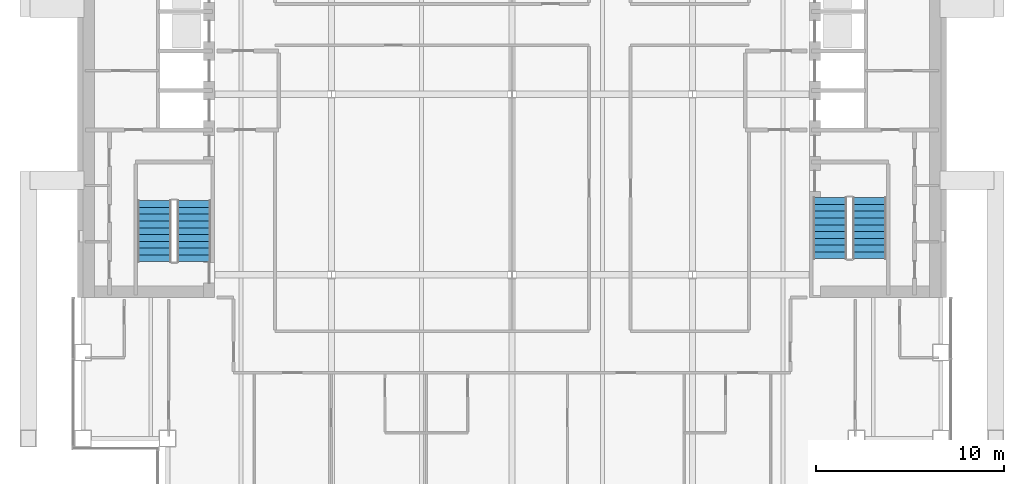
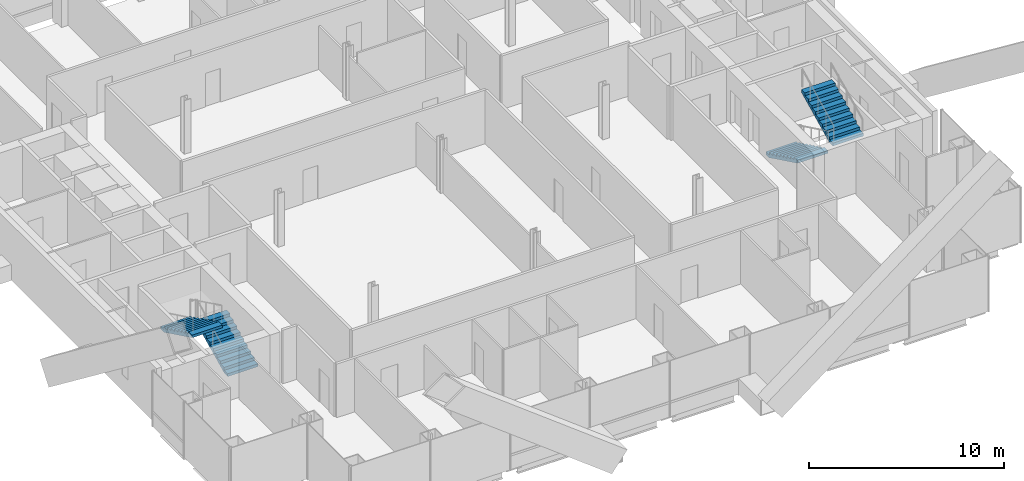
# One storey, part 15 of 17: 4 stair flights, 2 elements without a shape of their own.
"""IFC4 building model written with IfcOpenShell, lengths in metres."""

from ifc_helpers import new_model, si_unit, direction, frame, origin, place, context, subcontext, project, spatial, polyline, outline, extrude, material, type_object, element, aggregate, save


model = new_model("IFC4")

# Units and contexts
model_context = context("Model", 3, precision=1e-05, world=origin(), true_north=direction((0.0, 1.0)))
body_context = subcontext(model_context, "Body", "Model", "MODEL_VIEW")
ifc_project = project(units=[si_unit("LENGTHUNIT", "METRE"), si_unit("AREAUNIT", "SQUARE_METRE"), si_unit("VOLUMEUNIT", "CUBIC_METRE"), si_unit("PLANEANGLEUNIT", "RADIAN"), si_unit("MASSUNIT", "GRAM", prefix="KILO")], contexts=[model_context])

# Site, building, storey
site_placement = place(None, origin())
site = spatial("IfcSite", under=ifc_project, at=site_placement, CompositionType="ELEMENT")
building_placement = place(site_placement, origin())
building = spatial("IfcBuilding", under=site, at=building_placement, Name="Cobrizo Arcos Hotel Tower", CompositionType="ELEMENT")
storey_placement = place(building_placement, frame((0.0, 0.0, 106.5)))
storey = spatial("IfcBuildingStorey", under=building, at=storey_placement, Name="L26", CompositionType="ELEMENT", Elevation=106.5)

# Stair, stair flights
ifc_material = material(Name="Concrete f'c 40 MPa", Category="concrete")
stair_type = type_object("IfcStairType", Name="Exit stair", PredefinedType="HALF_TURN_STAIR", material=ifc_material)
stair_1_placement = place(storey_placement, origin())
stair_1 = element("IfcStair", 1, at=stair_1_placement, inside=storey, type_object=stair_type, Name="L26 Exit stair ST-W", PredefinedType="HALF_TURN_STAIR")
stair_flight_type = type_object("IfcStairFlightType", Name="Exit stair flight", PredefinedType="STRAIGHT", material=ifc_material)
stair_flight_1_placement = place(storey_placement, frame((-16.89990234375, -8.89990234375, 0.0), z_axis=(0.0, 0.0, 1.0), x_axis=(0.0, 1.0, 0.0)))
stair_flight_1 = element("IfcStairFlight", 2, at=stair_flight_1_placement, type_object=stair_flight_type, Name="ST-W flight 1", NumberOfRisers=10, NumberOfTreads=9, PredefinedType="STRAIGHT", RiserHeight=0.175, TreadLength=0.36, context=body_context, shape_type="SweptSolid", body=[
    extrude(outline(polyline([(0.0, 0.0), (0.0, 0.175048828125), (0.360107421875, 0.175048828125), (0.360107421875, 0.35009765625), (0.719970703125, 0.35009765625), (0.719970703125, 0.52490234375), (1.080078125, 0.52490234375), (1.080078125, 0.699951171875), (1.43994140625, 0.699951171875), (1.43994140625, 0.875), (1.800048828125, 0.875), (1.800048828125, 1.050048828125), (2.159912109375, 1.050048828125), (2.159912109375, 1.22509765625), (2.52001953125, 1.22509765625), (2.52001953125, 1.39990234375), (2.8798828125, 1.39990234375), (2.8798828125, 1.574951171875), (3.239990234375, 1.574951171875), (3.239990234375, 1.75), (3.239990234375, 1.408203125), (0.3427734375, 0.0), (0.0, 0.0)])), frame((0.0, 0.89990234375, 0.0), z_axis=(0.0, -1.0, 0.0), x_axis=(1.0, 0.0, 0.0)), (0.0, 0.0, 1.0), 1.800048828125),
])
stair_flight_2_placement = place(storey_placement, frame((-19.0, -5.659912109375, 1.75), z_axis=(0.0, 0.0, 1.0), x_axis=(0.0, -1.0, 0.0)))
stair_flight_2 = element("IfcStairFlight", 3, at=stair_flight_2_placement, type_object=stair_flight_type, Name="ST-W flight 2", NumberOfRisers=10, NumberOfTreads=9, PredefinedType="STRAIGHT", RiserHeight=0.175, TreadLength=0.36, context=body_context, shape_type="SweptSolid", body=[
    extrude(outline(polyline([(0.0, 0.0), (0.0, 0.175048828125), (0.360107421875, 0.175048828125), (0.360107421875, 0.35009765625), (0.719970703125, 0.35009765625), (0.719970703125, 0.52490234375), (1.080078125, 0.52490234375), (1.080078125, 0.699951171875), (1.43994140625, 0.699951171875), (1.43994140625, 0.875), (1.800048828125, 0.875), (1.800048828125, 1.050048828125), (2.159912109375, 1.050048828125), (2.159912109375, 1.22509765625), (2.52001953125, 1.22509765625), (2.52001953125, 1.39990234375), (2.8798828125, 1.39990234375), (2.8798828125, 1.574951171875), (3.239990234375, 1.574951171875), (3.239990234375, 1.75), (3.239990234375, 1.408203125), (0.3427734375, 0.0), (0.0, 0.0)])), frame((0.0, 0.89990234375, 0.0), z_axis=(0.0, -1.0, 0.0), x_axis=(1.0, 0.0, 0.0)), (0.0, 0.0, 1.0), 1.800048828125),
])
aggregate(stair_1, [stair_flight_1, stair_flight_2])

stair_2_placement = place(storey_placement, origin())
stair_2 = element("IfcStair", 4, at=stair_2_placement, inside=storey, type_object=stair_type, Name="L26 Exit stair ST-E", PredefinedType="HALF_TURN_STAIR")
stair_flight_3_placement = place(storey_placement, frame((16.89990234375, -5.5, 0.0), z_axis=(0.0, 0.0, 1.0), x_axis=(0.0, -1.0, 0.0)))
stair_flight_3 = element("IfcStairFlight", 5, at=stair_flight_3_placement, type_object=stair_flight_type, Name="ST-E flight 1", NumberOfRisers=10, NumberOfTreads=9, PredefinedType="STRAIGHT", RiserHeight=0.175, TreadLength=0.36, context=body_context, shape_type="SweptSolid", body=[
    extrude(outline(polyline([(0.0, 0.0), (0.0, 0.175048828125), (0.360107421875, 0.175048828125), (0.360107421875, 0.35009765625), (0.719970703125, 0.35009765625), (0.719970703125, 0.52490234375), (1.080078125, 0.52490234375), (1.080078125, 0.699951171875), (1.43994140625, 0.699951171875), (1.43994140625, 0.875), (1.800048828125, 0.875), (1.800048828125, 1.050048828125), (2.159912109375, 1.050048828125), (2.159912109375, 1.22509765625), (2.52001953125, 1.22509765625), (2.52001953125, 1.39990234375), (2.8798828125, 1.39990234375), (2.8798828125, 1.574951171875), (3.239990234375, 1.574951171875), (3.239990234375, 1.75), (3.239990234375, 1.408203125), (0.3427734375, 0.0), (0.0, 0.0)])), frame((0.0, 0.89990234375, 0.0), z_axis=(0.0, -1.0, 0.0), x_axis=(1.0, 0.0, 0.0)), (0.0, 0.0, 1.0), 1.800048828125),
])
stair_flight_4_placement = place(storey_placement, frame((19.0, -8.739990234375, 1.75), z_axis=(0.0, 0.0, 1.0), x_axis=(0.0, 1.0, 0.0)))
stair_flight_4 = element("IfcStairFlight", 6, at=stair_flight_4_placement, type_object=stair_flight_type, Name="ST-E flight 2", NumberOfRisers=10, NumberOfTreads=9, PredefinedType="STRAIGHT", RiserHeight=0.175, TreadLength=0.36, context=body_context, shape_type="SweptSolid", body=[
    extrude(outline(polyline([(0.0, 0.0), (0.0, 0.175048828125), (0.360107421875, 0.175048828125), (0.360107421875, 0.35009765625), (0.719970703125, 0.35009765625), (0.719970703125, 0.52490234375), (1.080078125, 0.52490234375), (1.080078125, 0.699951171875), (1.43994140625, 0.699951171875), (1.43994140625, 0.875), (1.800048828125, 0.875), (1.800048828125, 1.050048828125), (2.159912109375, 1.050048828125), (2.159912109375, 1.22509765625), (2.52001953125, 1.22509765625), (2.52001953125, 1.39990234375), (2.8798828125, 1.39990234375), (2.8798828125, 1.574951171875), (3.239990234375, 1.574951171875), (3.239990234375, 1.75), (3.239990234375, 1.408203125), (0.3427734375, 0.0), (0.0, 0.0)])), frame((0.0, 0.89990234375, 0.0), z_axis=(0.0, -1.0, 0.0), x_axis=(1.0, 0.0, 0.0)), (0.0, 0.0, 1.0), 1.800048828125),
])
aggregate(stair_2, [stair_flight_3, stair_flight_4])

save(model, "model.ifc")
